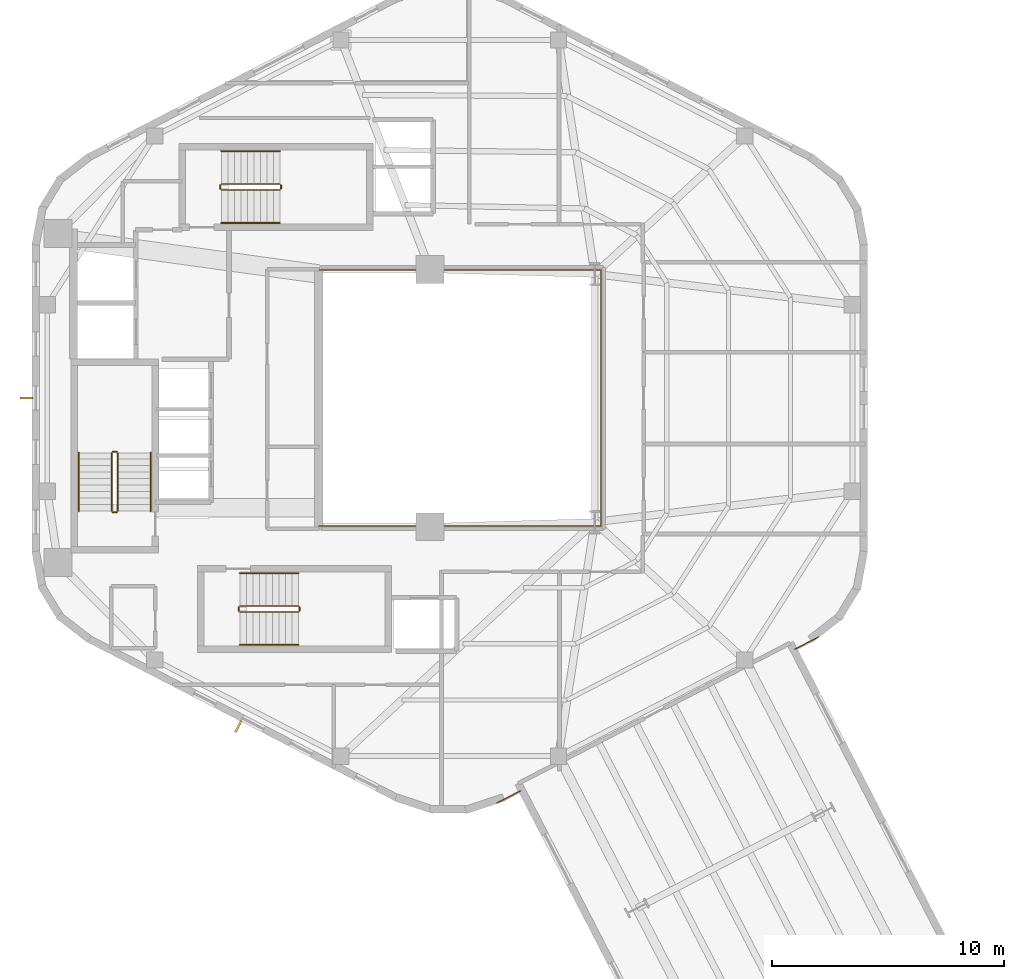
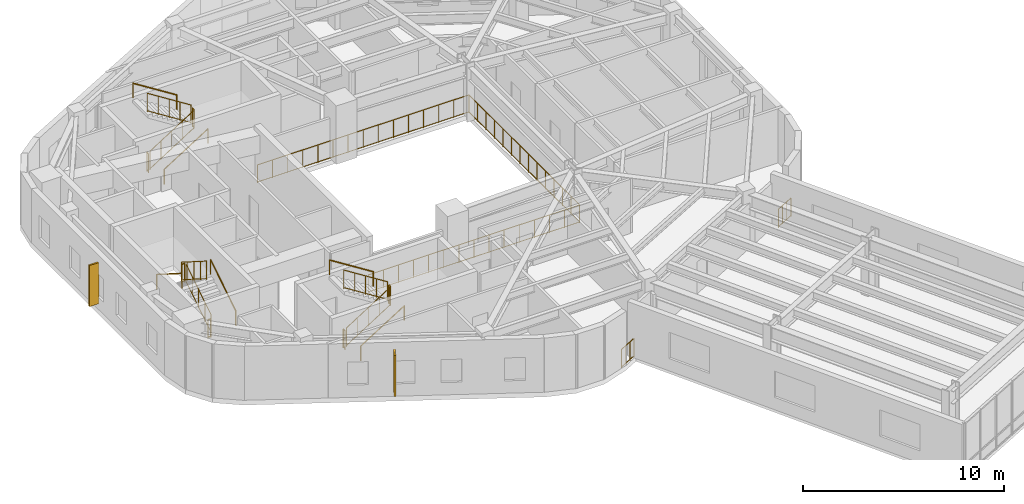
# One storey, part 10 of 11: 21 railings, 2 shading devices.
"""IFC4 building model written with IfcOpenShell, lengths in metres."""

from ifc_helpers import new_model, si_unit, direction, frame, origin, origin_2d, place, context, subcontext, project, spatial, rectangle, circle, extrude, material, type_object, element, save


model = new_model("IFC4")

# Units and contexts
model_context = context("Model", 3, precision=1e-05, world=origin(), true_north=direction((0.0, 1.0)))
body_context = subcontext(model_context, "Body", "Model", "MODEL_VIEW")
ifc_project = project(units=[si_unit("LENGTHUNIT", "METRE"), si_unit("AREAUNIT", "SQUARE_METRE"), si_unit("VOLUMEUNIT", "CUBIC_METRE"), si_unit("PLANEANGLEUNIT", "RADIAN"), si_unit("MASSUNIT", "GRAM", prefix="KILO"), si_unit("THERMODYNAMICTEMPERATUREUNIT", "KELVIN"), si_unit("POWERUNIT", "WATT")], contexts=[model_context])

# Site, building, storey
site_placement = place(None, origin())
site = spatial("IfcSite", under=ifc_project, at=site_placement, CompositionType="ELEMENT")
building_placement = place(site_placement, origin())
building = spatial("IfcBuilding", under=site, at=building_placement, Name="Skarre Station Tower", CompositionType="ELEMENT")
storey_placement = place(building_placement, frame((0.0, 0.0, 241.89990234375)))
storey = spatial("IfcBuildingStorey", under=building, at=storey_placement, Name="L66", CompositionType="ELEMENT", Elevation=241.89990234375)

# Railings
ifc_material_1 = material(Name="Bronze Anodized Steel & Laminated Glass Balustrade", Category="steel")
railing_type_1 = type_object("IfcRailingType", Name="Atrium Void & Mezzanine Guard Balustrade 1120", PredefinedType="GUARDRAIL", material=ifc_material_1)
railing_1_placement = place(storey_placement, frame((27.550048828125, 18.47998046875, 0.0)))
element("IfcRailing", 1, at=railing_1_placement, inside=storey, type_object=railing_type_1, Name="L66 Atrium Void Guard Balustrade", PredefinedType="GUARDRAIL", context=body_context, shape_type="SweptSolid", body=[
    extrude(circle(Radius=0.02392578125, at=origin_2d()), frame((0.0, 0.0, 1.09619140625), z_axis=(1.0, 0.0, 0.0), x_axis=(0.0, 1.0, 0.0)), (0.0, 0.0, 1.0), 12.169921875),
    extrude(circle(Radius=0.02099609375, at=origin_2d()), frame((0.0, 0.0, 0.06005859375), z_axis=(1.0, 0.0, 0.0), x_axis=(0.0, 1.0, 0.0)), (0.0, 0.0, 1.0), 12.169921875),
    extrude(circle(Radius=0.02392578125, at=origin_2d()), frame((12.169921875, 0.0, 1.09619140625), z_axis=(0.0, 1.0, 0.0), x_axis=(-1.0, 0.0, 0.0)), (0.0, 0.0, 1.0), 11.0400390625),
    extrude(circle(Radius=0.02099609375, at=origin_2d()), frame((12.169921875, 0.0, 0.06005859375), z_axis=(0.0, 1.0, 0.0), x_axis=(-1.0, 0.0, 0.0)), (0.0, 0.0, 1.0), 11.0400390625),
    extrude(circle(Radius=0.02392578125, at=origin_2d()), frame((12.169921875, 11.0400390625, 1.09619140625), z_axis=(-1.0, 0.0, 0.0), x_axis=(0.0, -1.0, 0.0)), (0.0, 0.0, 1.0), 12.169921875),
    extrude(circle(Radius=0.02099609375, at=origin_2d()), frame((12.169921875, 11.0400390625, 0.06005859375), z_axis=(-1.0, 0.0, 0.0), x_axis=(0.0, -1.0, 0.0)), (0.0, 0.0, 1.0), 12.169921875),
    extrude(circle(Radius=0.02099609375, at=origin_2d()), origin(), (0.0, 0.0, 1.0), 1.072021484375),
    extrude(circle(Radius=0.02099609375, at=origin_2d()), frame((0.869384765625, 0.0, 0.0)), (0.0, 0.0, 1.0), 1.072021484375),
    extrude(circle(Radius=0.02099609375, at=origin_2d()), frame((1.738525390625, 0.0, 0.0)), (0.0, 0.0, 1.0), 1.072021484375),
    extrude(circle(Radius=0.02099609375, at=origin_2d()), frame((2.60791015625, 0.0, 0.0)), (0.0, 0.0, 1.0), 1.072021484375),
    extrude(circle(Radius=0.02099609375, at=origin_2d()), frame((3.47705078125, 0.0, 0.0)), (0.0, 0.0, 1.0), 1.072021484375),
    extrude(circle(Radius=0.02099609375, at=origin_2d()), frame((4.346435546875, 0.0, 0.0)), (0.0, 0.0, 1.0), 1.072021484375),
    extrude(circle(Radius=0.02099609375, at=origin_2d()), frame((5.215576171875, 0.0, 0.0)), (0.0, 0.0, 1.0), 1.072021484375),
    extrude(circle(Radius=0.02099609375, at=origin_2d()), frame((6.0849609375, 0.0, 0.0)), (0.0, 0.0, 1.0), 1.072021484375),
    extrude(circle(Radius=0.02099609375, at=origin_2d()), frame((6.954345703125, 0.0, 0.0)), (0.0, 0.0, 1.0), 1.072021484375),
    extrude(circle(Radius=0.02099609375, at=origin_2d()), frame((7.823486328125, 0.0, 0.0)), (0.0, 0.0, 1.0), 1.072021484375),
    extrude(circle(Radius=0.02099609375, at=origin_2d()), frame((8.69287109375, 0.0, 0.0)), (0.0, 0.0, 1.0), 1.072021484375),
    extrude(circle(Radius=0.02099609375, at=origin_2d()), frame((9.56201171875, 0.0, 0.0)), (0.0, 0.0, 1.0), 1.072021484375),
    extrude(circle(Radius=0.02099609375, at=origin_2d()), frame((10.431396484375, 0.0, 0.0)), (0.0, 0.0, 1.0), 1.072021484375),
    extrude(circle(Radius=0.02099609375, at=origin_2d()), frame((11.300537109375, 0.0, 0.0)), (0.0, 0.0, 1.0), 1.072021484375),
    extrude(circle(Radius=0.02099609375, at=origin_2d()), frame((12.169921875, 0.0, 0.0)), (0.0, 0.0, 1.0), 1.072021484375),
    extrude(circle(Radius=0.02099609375, at=origin_2d()), frame((12.169921875, 0.84912109375, 0.0)), (0.0, 0.0, 1.0), 1.072021484375),
    extrude(circle(Radius=0.02099609375, at=origin_2d()), frame((12.169921875, 1.698486328125, 0.0)), (0.0, 0.0, 1.0), 1.072021484375),
    extrude(circle(Radius=0.02099609375, at=origin_2d()), frame((12.169921875, 2.547607421875, 0.0)), (0.0, 0.0, 1.0), 1.072021484375),
    extrude(circle(Radius=0.02099609375, at=origin_2d()), frame((12.169921875, 3.39697265625, 0.0)), (0.0, 0.0, 1.0), 1.072021484375),
    extrude(circle(Radius=0.02099609375, at=origin_2d()), frame((12.169921875, 4.24609375, 0.0)), (0.0, 0.0, 1.0), 1.072021484375),
    extrude(circle(Radius=0.02099609375, at=origin_2d()), frame((12.169921875, 5.095458984375, 0.0)), (0.0, 0.0, 1.0), 1.072021484375),
    extrude(circle(Radius=0.02099609375, at=origin_2d()), frame((12.169921875, 5.944580078125, 0.0)), (0.0, 0.0, 1.0), 1.072021484375),
    extrude(circle(Radius=0.02099609375, at=origin_2d()), frame((12.169921875, 6.7939453125, 0.0)), (0.0, 0.0, 1.0), 1.072021484375),
    extrude(circle(Radius=0.02099609375, at=origin_2d()), frame((12.169921875, 7.64306640625, 0.0)), (0.0, 0.0, 1.0), 1.072021484375),
    extrude(circle(Radius=0.02099609375, at=origin_2d()), frame((12.169921875, 8.492431640625, 0.0)), (0.0, 0.0, 1.0), 1.072021484375),
    extrude(circle(Radius=0.02099609375, at=origin_2d()), frame((12.169921875, 9.341552734375, 0.0)), (0.0, 0.0, 1.0), 1.072021484375),
    extrude(circle(Radius=0.02099609375, at=origin_2d()), frame((12.169921875, 10.19091796875, 0.0)), (0.0, 0.0, 1.0), 1.072021484375),
    extrude(circle(Radius=0.02099609375, at=origin_2d()), frame((12.169921875, 11.0400390625, 0.0)), (0.0, 0.0, 1.0), 1.072021484375),
    extrude(circle(Radius=0.02099609375, at=origin_2d()), frame((11.300537109375, 11.0400390625, 0.0)), (0.0, 0.0, 1.0), 1.072021484375),
    extrude(circle(Radius=0.02099609375, at=origin_2d()), frame((10.431396484375, 11.0400390625, 0.0)), (0.0, 0.0, 1.0), 1.072021484375),
    extrude(circle(Radius=0.02099609375, at=origin_2d()), frame((9.56201171875, 11.0400390625, 0.0)), (0.0, 0.0, 1.0), 1.072021484375),
    extrude(circle(Radius=0.02099609375, at=origin_2d()), frame((8.69287109375, 11.0400390625, 0.0)), (0.0, 0.0, 1.0), 1.072021484375),
    extrude(circle(Radius=0.02099609375, at=origin_2d()), frame((7.823486328125, 11.0400390625, 0.0)), (0.0, 0.0, 1.0), 1.072021484375),
    extrude(circle(Radius=0.02099609375, at=origin_2d()), frame((6.954345703125, 11.0400390625, 0.0)), (0.0, 0.0, 1.0), 1.072021484375),
    extrude(circle(Radius=0.02099609375, at=origin_2d()), frame((6.0849609375, 11.0400390625, 0.0)), (0.0, 0.0, 1.0), 1.072021484375),
    extrude(circle(Radius=0.02099609375, at=origin_2d()), frame((5.215576171875, 11.0400390625, 0.0)), (0.0, 0.0, 1.0), 1.072021484375),
    extrude(circle(Radius=0.02099609375, at=origin_2d()), frame((4.346435546875, 11.0400390625, 0.0)), (0.0, 0.0, 1.0), 1.072021484375),
    extrude(circle(Radius=0.02099609375, at=origin_2d()), frame((3.47705078125, 11.0400390625, 0.0)), (0.0, 0.0, 1.0), 1.072021484375),
    extrude(circle(Radius=0.02099609375, at=origin_2d()), frame((2.60791015625, 11.0400390625, 0.0)), (0.0, 0.0, 1.0), 1.072021484375),
    extrude(circle(Radius=0.02099609375, at=origin_2d()), frame((1.738525390625, 11.0400390625, 0.0)), (0.0, 0.0, 1.0), 1.072021484375),
    extrude(circle(Radius=0.02099609375, at=origin_2d()), frame((0.869384765625, 11.0400390625, 0.0)), (0.0, 0.0, 1.0), 1.072021484375),
    extrude(circle(Radius=0.02099609375, at=origin_2d()), frame((0.0, 11.0400390625, 0.0)), (0.0, 0.0, 1.0), 1.072021484375),
])
ifc_material_2 = material(Name="Stainless Steel Grade 316L & Laminated Safety Glass", Category="steel")
railing_type_2 = type_object("IfcRailingType", Name="Laminated Glass & Stainless Terrace Guardrail 1150", PredefinedType="BALUSTRADE", material=ifc_material_2)
for number, where, name in (
    (2, (36.260986328125, 7.05908203125, 0.0), "L66 SB-5 Shoulder Ledge Guardrail 1"),
    (3, (49.116943359375, 13.696044921875, 0.0), "L66 SB-5 Shoulder Ledge Guardrail 2"),
):
    element("IfcRailing", number, at=place(storey_placement, frame(where)), inside=storey, type_object=railing_type_2, Name=name, PredefinedType="BALUSTRADE", context=body_context, shape_type="SweptSolid", body=[
        extrude(circle(Radius=0.02392578125, at=origin_2d()), frame((0.0, 0.0, 1.1259765625), z_axis=(-0.888662231041, -0.458562361213, 0.0), x_axis=(0.458562361213, -0.888662231041, 0.0)), (0.0, 0.0, 1.0), 1.157958984375),
        extrude(circle(Radius=0.02099609375, at=origin_2d()), frame((0.0, 0.0, 0.06005859375), z_axis=(-0.888662231041, -0.458562361213, 0.0), x_axis=(0.458562361213, -0.888662231041, 0.0)), (0.0, 0.0, 1.0), 1.157958984375),
        extrude(circle(Radius=0.02099609375, at=origin_2d()), origin(), (0.0, 0.0, 1.0), 1.101806640625),
        extrude(circle(Radius=0.02099609375, at=origin_2d()), frame((-0.343017578125, -0.177001953125, 0.0)), (0.0, 0.0, 1.0), 1.101806640625),
        extrude(circle(Radius=0.02099609375, at=origin_2d()), frame((-0.68603515625, -0.35400390625, 0.0)), (0.0, 0.0, 1.0), 1.101806640625),
        extrude(circle(Radius=0.02099609375, at=origin_2d()), frame((-1.029052734375, -0.531005859375, 0.0)), (0.0, 0.0, 1.0), 1.101806640625),
    ])

# Shading devices
ifc_material_3 = material(Name="Bronze Anodized Extruded Aluminium 6063-T6", Category="aluminium")
shading_device_type = type_object("IfcShadingDeviceType", Name="Nordic Bronze Vertical Solar Fin 550x90", PredefinedType="SHUTTER", material=ifc_material_3)
for number, where, z_axis, x_axis, name in (
    (4, (14.93701171875, 24.0, 0.35009765625), (0.0, 0.0, 1.0), (-1.0, 0.0, 0.0), "L66 Facet 2 Bronze Solar Fin"),
    (5, (24.0791015625, 9.827880859375, 0.35009765625), (0.0, 0.0, 1.0), (-0.458711590553, -0.88858521071, 0.0), "L66 Facet 3 Bronze Solar Fin"),
):
    element("IfcShadingDevice", number, at=place(storey_placement, frame(where, z_axis=z_axis, x_axis=x_axis)), inside=storey, type_object=shading_device_type, Name=name, PredefinedType="SHUTTER", context=body_context, shape_type="SweptSolid", body=[
        extrude(rectangle(XDim=0.550048828125, YDim=0.090087890625, at=origin_2d()), origin(), (0.0, 0.0, 1.0), 2.5),
    ])

# Railings
ifc_material_4 = material(Name="Powder-Coated Tubular Steel", Category="steel")
railing_type_3 = type_object("IfcRailingType", Name="Painted Steel Ramp & Stair Handrail 920", PredefinedType="HANDRAIL", material=ifc_material_4)
railing_2_placement = place(storey_placement, frame((20.300048828125, 19.1201171875, 0.177490234375)))
element("IfcRailing", 6, at=railing_2_placement, inside=storey, type_object=railing_type_3, Name="L66 ST-1 stair handrail 1", PredefinedType="HANDRAIL", context=body_context, shape_type="SweptSolid", body=[
    extrude(circle(Radius=0.02392578125, at=origin_2d()), frame((0.0, 0.0, 0.8759765625), z_axis=(0.0, 0.844546487299, 0.535482241341), x_axis=(-1.0, 0.0, 0.0)), (0.0, 0.0, 1.0), 2.983642578125),
    extrude(circle(Radius=0.02099609375, at=origin_2d()), origin(), (0.0, 0.0, 1.0), 0.851806640625),
    extrude(circle(Radius=0.02099609375, at=origin_2d()), frame((0.0, 2.519775390625, 1.59765625)), (0.0, 0.0, 1.0), 0.851806640625),
])
railing_3_placement = place(storey_placement, frame((17.199951171875, 21.639892578125, 1.95263671875)))
element("IfcRailing", 7, at=railing_3_placement, inside=storey, type_object=railing_type_3, Name="L66 ST-1 stair handrail 2", PredefinedType="HANDRAIL", context=body_context, shape_type="SweptSolid", body=[
    extrude(circle(Radius=0.02392578125, at=origin_2d()), frame((0.0, 0.0, 0.8759765625), z_axis=(0.0, -0.844583492756, 0.535423872987), x_axis=(1.0, 0.0, 0.0)), (0.0, 0.0, 1.0), 2.9833984375),
    extrude(circle(Radius=0.02099609375, at=origin_2d()), origin(), (0.0, 0.0, 1.0), 0.851806640625),
    extrude(circle(Radius=0.02099609375, at=origin_2d()), frame((0.0, -2.519775390625, 1.597412109375)), (0.0, 0.0, 1.0), 0.851806640625),
])
railing_4_placement = place(storey_placement, frame((24.14990234375, 13.35009765625, 0.177490234375)))
element("IfcRailing", 8, at=railing_4_placement, inside=storey, type_object=railing_type_3, Name="L66 ST-2 stair handrail 1", PredefinedType="HANDRAIL", context=body_context, shape_type="SweptSolid", body=[
    extrude(circle(Radius=0.02392578125, at=origin_2d()), frame((0.0, 0.0, 0.8759765625), z_axis=(0.84456994832, 0.0, 0.535445237532), x_axis=(0.0, 1.0, 0.0)), (0.0, 0.0, 1.0), 2.98388671875),
    extrude(circle(Radius=0.02099609375, at=origin_2d()), origin(), (0.0, 0.0, 1.0), 0.851806640625),
    extrude(circle(Radius=0.02099609375, at=origin_2d()), frame((2.52001953125, 0.0, 1.59765625)), (0.0, 0.0, 1.0), 0.851806640625),
])
railing_5_placement = place(storey_placement, frame((26.669921875, 16.449951171875, 1.95263671875)))
element("IfcRailing", 9, at=railing_5_placement, inside=storey, type_object=railing_type_3, Name="L66 ST-2 stair handrail 2", PredefinedType="HANDRAIL", context=body_context, shape_type="SweptSolid", body=[
    extrude(circle(Radius=0.02392578125, at=origin_2d()), frame((0.0, 0.0, 0.8759765625), z_axis=(-0.84460694969, 0.0, 0.535386869969), x_axis=(0.0, -1.0, 0.0)), (0.0, 0.0, 1.0), 2.983642578125),
    extrude(circle(Radius=0.02099609375, at=origin_2d()), origin(), (0.0, 0.0, 1.0), 0.851806640625),
    extrude(circle(Radius=0.02099609375, at=origin_2d()), frame((-2.52001953125, 0.0, 1.597412109375)), (0.0, 0.0, 1.0), 0.851806640625),
])
railing_6_placement = place(storey_placement, frame((23.35009765625, 31.550048828125, 0.177490234375)))
element("IfcRailing", 10, at=railing_6_placement, inside=storey, type_object=railing_type_3, Name="L66 ST-3 stair handrail 1", PredefinedType="HANDRAIL", context=body_context, shape_type="SweptSolid", body=[
    extrude(circle(Radius=0.02392578125, at=origin_2d()), frame((0.0, 0.0, 0.8759765625), z_axis=(0.84456994832, 0.0, 0.535445237532), x_axis=(0.0, 1.0, 0.0)), (0.0, 0.0, 1.0), 2.98388671875),
    extrude(circle(Radius=0.02099609375, at=origin_2d()), origin(), (0.0, 0.0, 1.0), 0.851806640625),
    extrude(circle(Radius=0.02099609375, at=origin_2d()), frame((2.52001953125, 0.0, 1.59765625)), (0.0, 0.0, 1.0), 0.851806640625),
])
railing_7_placement = place(storey_placement, frame((25.8701171875, 34.64990234375, 1.95263671875)))
element("IfcRailing", 11, at=railing_7_placement, inside=storey, type_object=railing_type_3, Name="L66 ST-3 stair handrail 2", PredefinedType="HANDRAIL", context=body_context, shape_type="SweptSolid", body=[
    extrude(circle(Radius=0.02392578125, at=origin_2d()), frame((0.0, 0.0, 0.8759765625), z_axis=(-0.84460694969, 0.0, 0.535386869969), x_axis=(0.0, -1.0, 0.0)), (0.0, 0.0, 1.0), 2.983642578125),
    extrude(circle(Radius=0.02099609375, at=origin_2d()), origin(), (0.0, 0.0, 1.0), 0.851806640625),
    extrude(circle(Radius=0.02099609375, at=origin_2d()), frame((-2.52001953125, 0.0, 1.597412109375)), (0.0, 0.0, 1.0), 0.851806640625),
])
railing_type_4 = type_object("IfcRailingType", Name="Painted Steel Stairwell Guardrail 1100", PredefinedType="GUARDRAIL", material=ifc_material_4)
railing_8_placement = place(storey_placement, frame((18.8798828125, 19.1201171875, 0.177490234375)))
element("IfcRailing", 12, at=railing_8_placement, inside=storey, type_object=railing_type_4, Name="L66 ST-1 stair guard 1", PredefinedType="GUARDRAIL", context=body_context, shape_type="SweptSolid", body=[
    extrude(circle(Radius=0.02392578125, at=origin_2d()), frame((0.0, 0.0, 1.1259765625), z_axis=(0.0, 0.844546487299, 0.535482241341), x_axis=(-1.0, 0.0, 0.0)), (0.0, 0.0, 1.0), 2.983642578125),
    extrude(circle(Radius=0.02099609375, at=origin_2d()), frame((0.0, 0.0, 0.06005859375), z_axis=(0.0, 0.844546487299, 0.535482241341), x_axis=(-1.0, 0.0, 0.0)), (0.0, 0.0, 1.0), 2.983642578125),
    extrude(circle(Radius=0.02099609375, at=origin_2d()), origin(), (0.0, 0.0, 1.0), 1.101806640625),
    extrude(circle(Radius=0.02099609375, at=origin_2d()), frame((0.0, 0.6298828125, 0.3994140625)), (0.0, 0.0, 1.0), 1.101806640625),
    extrude(circle(Radius=0.02099609375, at=origin_2d()), frame((0.0, 1.259765625, 0.798828125)), (0.0, 0.0, 1.0), 1.101806640625),
    extrude(circle(Radius=0.02099609375, at=origin_2d()), frame((0.0, 1.889892578125, 1.1982421875)), (0.0, 0.0, 1.0), 1.101806640625),
    extrude(circle(Radius=0.02099609375, at=origin_2d()), frame((0.0, 2.519775390625, 1.59765625)), (0.0, 0.0, 1.0), 1.101806640625),
])
railing_9_placement = place(storey_placement, frame((18.830078125, 21.68994140625, 1.775146484375)))
element("IfcRailing", 13, at=railing_9_placement, inside=storey, type_object=railing_type_4, Name="L66 ST-1 stair guard 2", PredefinedType="GUARDRAIL", context=body_context, shape_type="SweptSolid", body=[
    extrude(circle(Radius=0.02392578125, at=origin_2d()), frame((0.0, 0.0, 1.1259765625), z_axis=(-1.0, 0.0, 0.0), x_axis=(0.0, -1.0, 0.0)), (0.0, 0.0, 1.0), 0.16015625),
    extrude(circle(Radius=0.02099609375, at=origin_2d()), frame((0.0, 0.0, 0.06005859375), z_axis=(-1.0, 0.0, 0.0), x_axis=(0.0, -1.0, 0.0)), (0.0, 0.0, 1.0), 0.16015625),
    extrude(circle(Radius=0.02099609375, at=origin_2d()), origin(), (0.0, 0.0, 1.0), 1.101806640625),
    extrude(circle(Radius=0.02099609375, at=origin_2d()), frame((-0.16015625, 0.0, 0.0)), (0.0, 0.0, 1.0), 1.101806640625),
])
railing_10_placement = place(storey_placement, frame((18.6201171875, 21.639892578125, 1.95263671875)))
element("IfcRailing", 14, at=railing_10_placement, inside=storey, type_object=railing_type_4, Name="L66 ST-1 stair guard 3", PredefinedType="GUARDRAIL", context=body_context, shape_type="SweptSolid", body=[
    extrude(circle(Radius=0.02392578125, at=origin_2d()), frame((0.0, 0.0, 1.1259765625), z_axis=(0.0, -0.844583492756, 0.535423872987), x_axis=(1.0, 0.0, 0.0)), (0.0, 0.0, 1.0), 2.9833984375),
    extrude(circle(Radius=0.02099609375, at=origin_2d()), frame((0.0, 0.0, 0.06005859375), z_axis=(0.0, -0.844583492756, 0.535423872987), x_axis=(1.0, 0.0, 0.0)), (0.0, 0.0, 1.0), 2.9833984375),
    extrude(circle(Radius=0.02099609375, at=origin_2d()), origin(), (0.0, 0.0, 1.0), 1.101806640625),
    extrude(circle(Radius=0.02099609375, at=origin_2d()), frame((0.0, -0.6298828125, 0.3994140625)), (0.0, 0.0, 1.0), 1.101806640625),
    extrude(circle(Radius=0.02099609375, at=origin_2d()), frame((0.0, -1.259765625, 0.798828125)), (0.0, 0.0, 1.0), 1.101806640625),
    extrude(circle(Radius=0.02099609375, at=origin_2d()), frame((0.0, -1.889892578125, 1.197998046875)), (0.0, 0.0, 1.0), 1.101806640625),
    extrude(circle(Radius=0.02099609375, at=origin_2d()), frame((0.0, -2.519775390625, 1.597412109375)), (0.0, 0.0, 1.0), 1.101806640625),
])
railing_11_placement = place(storey_placement, frame((18.830078125, 19.070068359375, 0.0)))
element("IfcRailing", 15, at=railing_11_placement, inside=storey, type_object=railing_type_4, Name="L66 ST-1 stair guard 4", PredefinedType="GUARDRAIL", context=body_context, shape_type="SweptSolid", body=[
    extrude(circle(Radius=0.02392578125, at=origin_2d()), frame((0.0, 0.0, 1.1259765625), z_axis=(-1.0, 0.0, 0.0), x_axis=(0.0, -1.0, 0.0)), (0.0, 0.0, 1.0), 0.16015625),
    extrude(circle(Radius=0.02099609375, at=origin_2d()), frame((0.0, 0.0, 0.06005859375), z_axis=(-1.0, 0.0, 0.0), x_axis=(0.0, -1.0, 0.0)), (0.0, 0.0, 1.0), 0.16015625),
    extrude(circle(Radius=0.02099609375, at=origin_2d()), origin(), (0.0, 0.0, 1.0), 1.101806640625),
    extrude(circle(Radius=0.02099609375, at=origin_2d()), frame((-0.16015625, 0.0, 0.0)), (0.0, 0.0, 1.0), 1.101806640625),
])
railing_12_placement = place(storey_placement, frame((24.14990234375, 14.77001953125, 0.177490234375)))
element("IfcRailing", 16, at=railing_12_placement, inside=storey, type_object=railing_type_4, Name="L66 ST-2 stair guard 1", PredefinedType="GUARDRAIL", context=body_context, shape_type="SweptSolid", body=[
    extrude(circle(Radius=0.02392578125, at=origin_2d()), frame((0.0, 0.0, 1.1259765625), z_axis=(0.84456994832, 0.0, 0.535445237532), x_axis=(0.0, 1.0, 0.0)), (0.0, 0.0, 1.0), 2.98388671875),
    extrude(circle(Radius=0.02099609375, at=origin_2d()), frame((0.0, 0.0, 0.06005859375), z_axis=(0.84456994832, 0.0, 0.535445237532), x_axis=(0.0, 1.0, 0.0)), (0.0, 0.0, 1.0), 2.98388671875),
    extrude(circle(Radius=0.02099609375, at=origin_2d()), origin(), (0.0, 0.0, 1.0), 1.101806640625),
    extrude(circle(Radius=0.02099609375, at=origin_2d()), frame((0.6298828125, 0.0, 0.3994140625)), (0.0, 0.0, 1.0), 1.101806640625),
    extrude(circle(Radius=0.02099609375, at=origin_2d()), frame((1.260009765625, 0.0, 0.798828125)), (0.0, 0.0, 1.0), 1.101806640625),
    extrude(circle(Radius=0.02099609375, at=origin_2d()), frame((1.89013671875, 0.0, 1.1982421875)), (0.0, 0.0, 1.0), 1.101806640625),
    extrude(circle(Radius=0.02099609375, at=origin_2d()), frame((2.52001953125, 0.0, 1.59765625)), (0.0, 0.0, 1.0), 1.101806640625),
])
railing_13_placement = place(storey_placement, frame((26.719970703125, 14.820068359375, 1.775146484375)))
element("IfcRailing", 17, at=railing_13_placement, inside=storey, type_object=railing_type_4, Name="L66 ST-2 stair guard 2", PredefinedType="GUARDRAIL", context=body_context, shape_type="SweptSolid", body=[
    extrude(circle(Radius=0.02392578125, at=origin_2d()), frame((0.0, 0.0, 1.1259765625), z_axis=(0.0, 1.0, 0.0), x_axis=(-1.0, 0.0, 0.0)), (0.0, 0.0, 1.0), 0.159912109375),
    extrude(circle(Radius=0.02099609375, at=origin_2d()), frame((0.0, 0.0, 0.06005859375), z_axis=(0.0, 1.0, 0.0), x_axis=(-1.0, 0.0, 0.0)), (0.0, 0.0, 1.0), 0.159912109375),
    extrude(circle(Radius=0.02099609375, at=origin_2d()), origin(), (0.0, 0.0, 1.0), 1.101806640625),
    extrude(circle(Radius=0.02099609375, at=origin_2d()), frame((0.0, 0.159912109375, 0.0)), (0.0, 0.0, 1.0), 1.101806640625),
])
railing_14_placement = place(storey_placement, frame((26.669921875, 15.030029296875, 1.95263671875)))
element("IfcRailing", 18, at=railing_14_placement, inside=storey, type_object=railing_type_4, Name="L66 ST-2 stair guard 3", PredefinedType="GUARDRAIL", context=body_context, shape_type="SweptSolid", body=[
    extrude(circle(Radius=0.02392578125, at=origin_2d()), frame((0.0, 0.0, 1.1259765625), z_axis=(-0.84460694969, 0.0, 0.535386869969), x_axis=(0.0, -1.0, 0.0)), (0.0, 0.0, 1.0), 2.983642578125),
    extrude(circle(Radius=0.02099609375, at=origin_2d()), frame((0.0, 0.0, 0.06005859375), z_axis=(-0.84460694969, 0.0, 0.535386869969), x_axis=(0.0, -1.0, 0.0)), (0.0, 0.0, 1.0), 2.983642578125),
    extrude(circle(Radius=0.02099609375, at=origin_2d()), origin(), (0.0, 0.0, 1.0), 1.101806640625),
    extrude(circle(Radius=0.02099609375, at=origin_2d()), frame((-0.6298828125, 0.0, 0.3994140625)), (0.0, 0.0, 1.0), 1.101806640625),
    extrude(circle(Radius=0.02099609375, at=origin_2d()), frame((-1.260009765625, 0.0, 0.798828125)), (0.0, 0.0, 1.0), 1.101806640625),
    extrude(circle(Radius=0.02099609375, at=origin_2d()), frame((-1.89013671875, 0.0, 1.197998046875)), (0.0, 0.0, 1.0), 1.101806640625),
    extrude(circle(Radius=0.02099609375, at=origin_2d()), frame((-2.52001953125, 0.0, 1.597412109375)), (0.0, 0.0, 1.0), 1.101806640625),
])
railing_15_placement = place(storey_placement, frame((24.10009765625, 14.820068359375, 0.0)))
element("IfcRailing", 19, at=railing_15_placement, inside=storey, type_object=railing_type_4, Name="L66 ST-2 stair guard 4", PredefinedType="GUARDRAIL", context=body_context, shape_type="SweptSolid", body=[
    extrude(circle(Radius=0.02392578125, at=origin_2d()), frame((0.0, 0.0, 1.1259765625), z_axis=(0.0, 1.0, 0.0), x_axis=(-1.0, 0.0, 0.0)), (0.0, 0.0, 1.0), 0.159912109375),
    extrude(circle(Radius=0.02099609375, at=origin_2d()), frame((0.0, 0.0, 0.06005859375), z_axis=(0.0, 1.0, 0.0), x_axis=(-1.0, 0.0, 0.0)), (0.0, 0.0, 1.0), 0.159912109375),
    extrude(circle(Radius=0.02099609375, at=origin_2d()), origin(), (0.0, 0.0, 1.0), 1.101806640625),
    extrude(circle(Radius=0.02099609375, at=origin_2d()), frame((0.0, 0.159912109375, 0.0)), (0.0, 0.0, 1.0), 1.101806640625),
])
railing_16_placement = place(storey_placement, frame((23.35009765625, 32.969970703125, 0.177490234375)))
element("IfcRailing", 20, at=railing_16_placement, inside=storey, type_object=railing_type_4, Name="L66 ST-3 stair guard 1", PredefinedType="GUARDRAIL", context=body_context, shape_type="SweptSolid", body=[
    extrude(circle(Radius=0.02392578125, at=origin_2d()), frame((0.0, 0.0, 1.1259765625), z_axis=(0.84456994832, 0.0, 0.535445237532), x_axis=(0.0, 1.0, 0.0)), (0.0, 0.0, 1.0), 2.98388671875),
    extrude(circle(Radius=0.02099609375, at=origin_2d()), frame((0.0, 0.0, 0.06005859375), z_axis=(0.84456994832, 0.0, 0.535445237532), x_axis=(0.0, 1.0, 0.0)), (0.0, 0.0, 1.0), 2.98388671875),
    extrude(circle(Radius=0.02099609375, at=origin_2d()), origin(), (0.0, 0.0, 1.0), 1.101806640625),
    extrude(circle(Radius=0.02099609375, at=origin_2d()), frame((0.6298828125, 0.0, 0.3994140625)), (0.0, 0.0, 1.0), 1.101806640625),
    extrude(circle(Radius=0.02099609375, at=origin_2d()), frame((1.260009765625, 0.0, 0.798828125)), (0.0, 0.0, 1.0), 1.101806640625),
    extrude(circle(Radius=0.02099609375, at=origin_2d()), frame((1.89013671875, 0.0, 1.1982421875)), (0.0, 0.0, 1.0), 1.101806640625),
    extrude(circle(Radius=0.02099609375, at=origin_2d()), frame((2.52001953125, 0.0, 1.59765625)), (0.0, 0.0, 1.0), 1.101806640625),
])
railing_17_placement = place(storey_placement, frame((25.919921875, 33.02001953125, 1.775146484375)))
element("IfcRailing", 21, at=railing_17_placement, inside=storey, type_object=railing_type_4, Name="L66 ST-3 stair guard 2", PredefinedType="GUARDRAIL", context=body_context, shape_type="SweptSolid", body=[
    extrude(circle(Radius=0.02392578125, at=origin_2d()), frame((0.0, 0.0, 1.1259765625), z_axis=(0.0, 1.0, 0.0), x_axis=(-1.0, 0.0, 0.0)), (0.0, 0.0, 1.0), 0.159912109375),
    extrude(circle(Radius=0.02099609375, at=origin_2d()), frame((0.0, 0.0, 0.06005859375), z_axis=(0.0, 1.0, 0.0), x_axis=(-1.0, 0.0, 0.0)), (0.0, 0.0, 1.0), 0.159912109375),
    extrude(circle(Radius=0.02099609375, at=origin_2d()), origin(), (0.0, 0.0, 1.0), 1.101806640625),
    extrude(circle(Radius=0.02099609375, at=origin_2d()), frame((0.0, 0.159912109375, 0.0)), (0.0, 0.0, 1.0), 1.101806640625),
])
railing_18_placement = place(storey_placement, frame((25.8701171875, 33.22998046875, 1.95263671875)))
element("IfcRailing", 22, at=railing_18_placement, inside=storey, type_object=railing_type_4, Name="L66 ST-3 stair guard 3", PredefinedType="GUARDRAIL", context=body_context, shape_type="SweptSolid", body=[
    extrude(circle(Radius=0.02392578125, at=origin_2d()), frame((0.0, 0.0, 1.1259765625), z_axis=(-0.84460694969, 0.0, 0.535386869969), x_axis=(0.0, -1.0, 0.0)), (0.0, 0.0, 1.0), 2.983642578125),
    extrude(circle(Radius=0.02099609375, at=origin_2d()), frame((0.0, 0.0, 0.06005859375), z_axis=(-0.84460694969, 0.0, 0.535386869969), x_axis=(0.0, -1.0, 0.0)), (0.0, 0.0, 1.0), 2.983642578125),
    extrude(circle(Radius=0.02099609375, at=origin_2d()), origin(), (0.0, 0.0, 1.0), 1.101806640625),
    extrude(circle(Radius=0.02099609375, at=origin_2d()), frame((-0.6298828125, 0.0, 0.3994140625)), (0.0, 0.0, 1.0), 1.101806640625),
    extrude(circle(Radius=0.02099609375, at=origin_2d()), frame((-1.260009765625, 0.0, 0.798828125)), (0.0, 0.0, 1.0), 1.101806640625),
    extrude(circle(Radius=0.02099609375, at=origin_2d()), frame((-1.89013671875, 0.0, 1.197998046875)), (0.0, 0.0, 1.0), 1.101806640625),
    extrude(circle(Radius=0.02099609375, at=origin_2d()), frame((-2.52001953125, 0.0, 1.597412109375)), (0.0, 0.0, 1.0), 1.101806640625),
])
railing_19_placement = place(storey_placement, frame((23.300048828125, 33.02001953125, 0.0)))
element("IfcRailing", 23, at=railing_19_placement, inside=storey, type_object=railing_type_4, Name="L66 ST-3 stair guard 4", PredefinedType="GUARDRAIL", context=body_context, shape_type="SweptSolid", body=[
    extrude(circle(Radius=0.02392578125, at=origin_2d()), frame((0.0, 0.0, 1.1259765625), z_axis=(0.0, 1.0, 0.0), x_axis=(-1.0, 0.0, 0.0)), (0.0, 0.0, 1.0), 0.159912109375),
    extrude(circle(Radius=0.02099609375, at=origin_2d()), frame((0.0, 0.0, 0.06005859375), z_axis=(0.0, 1.0, 0.0), x_axis=(-1.0, 0.0, 0.0)), (0.0, 0.0, 1.0), 0.159912109375),
    extrude(circle(Radius=0.02099609375, at=origin_2d()), origin(), (0.0, 0.0, 1.0), 1.101806640625),
    extrude(circle(Radius=0.02099609375, at=origin_2d()), frame((0.0, 0.159912109375, 0.0)), (0.0, 0.0, 1.0), 1.101806640625),
])

save(model, "model.ifc")
